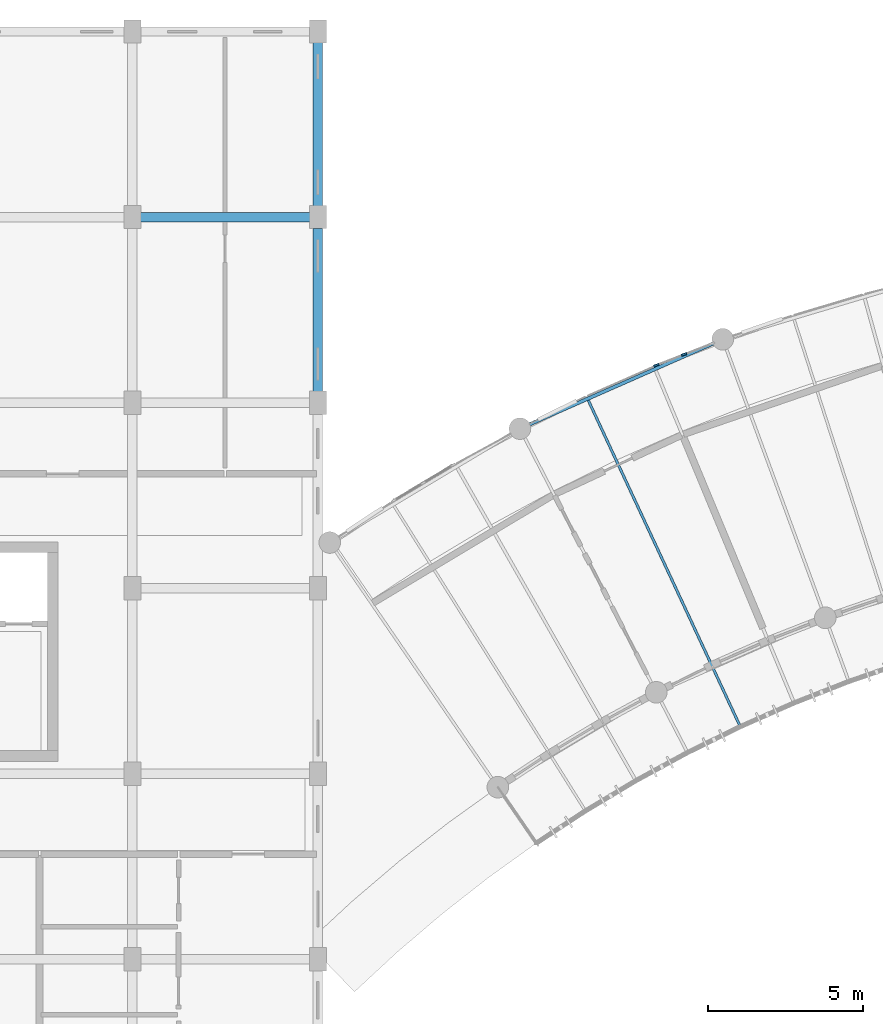
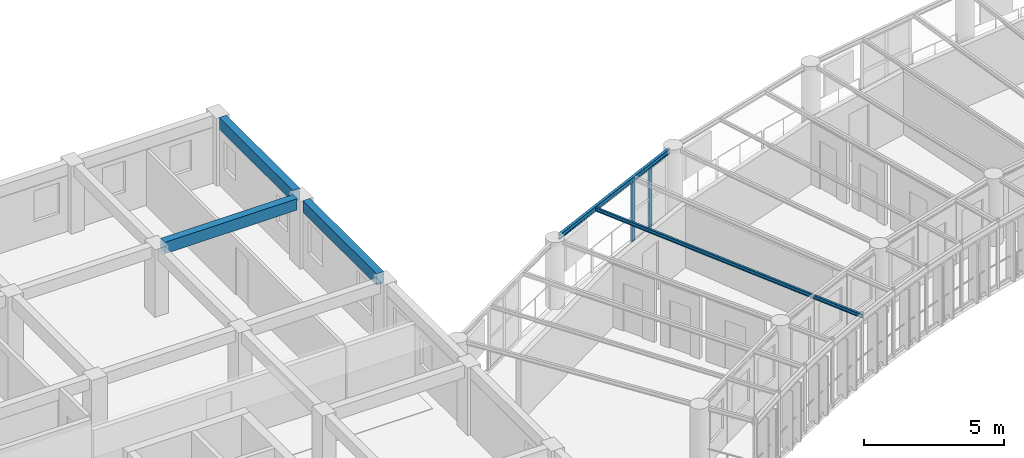
# One storey, part 48 of 123: 5 beams, 2 members, 1 element without a shape of its own.
"""IFC4 building model written with IfcOpenShell, lengths in metres."""

from ifc_helpers import new_model, si_unit, direction, frame, origin, origin_2d, place, context, subcontext, project, spatial, rectangle, i_section, extrude, material, layer, layer_set, material_profile, profile_set, type_object, element, aggregate, save


model = new_model("IFC4")

# Units and contexts
model_context = context("Model", 3, precision=1e-05, world=origin(), true_north=direction((0.0, 1.0)))
body_context = subcontext(model_context, "Body", "Model", "MODEL_VIEW")
ifc_project = project(units=[si_unit("LENGTHUNIT", "METRE"), si_unit("AREAUNIT", "SQUARE_METRE"), si_unit("VOLUMEUNIT", "CUBIC_METRE"), si_unit("PLANEANGLEUNIT", "RADIAN"), si_unit("MASSUNIT", "GRAM", prefix="KILO"), si_unit("POWERUNIT", "WATT"), si_unit("THERMODYNAMICTEMPERATUREUNIT", "KELVIN")], contexts=[model_context])

# Site, building, storey
site_placement = place(None, origin())
site = spatial("IfcSite", under=ifc_project, at=site_placement, CompositionType="ELEMENT")
building_placement = place(site_placement, origin())
building = spatial("IfcBuilding", under=site, at=building_placement, Name="Ruvembo Vaulted Housing Court", CompositionType="ELEMENT")
storey_placement = place(building_placement, frame((0.0, 0.0, 7.699951171875)))
storey = spatial("IfcBuildingStorey", under=building, at=storey_placement, Name="L02", CompositionType="ELEMENT", Elevation=7.699951171875)

# Beams
ifc_material_1 = material(Name="Steel S355J2", Category="steel")
ifc_material_profile_1 = material_profile(ifc_material_1, i_section(OverallWidth=0.08203125, OverallDepth=0.159912109375, WebThickness=0.0048828125, FlangeThickness=0.00732421875, FilletRadius=0.009033203125, at=origin_2d()), Name="IPE 160")
ifc_profile_set_1 = profile_set([ifc_material_profile_1], Name="Steel S355J2")
beam_type_1 = type_object("IfcBeamType", Name="BM-ST-IPE160", PredefinedType="JOIST", material=ifc_profile_set_1)
beam_1_placement = place(storey_placement, frame((92.744873046875, 102.07958984375, 2.860107421875), z_axis=(0.422190259357, -0.906507244816, 0.0), x_axis=(0.906507244816, 0.422190259357, 0.0)))
element("IfcBeam", 1, at=beam_1_placement, inside=storey, type_object=beam_type_1, Name="Scoop SC3 L02 Radial Steel Joist 4", PredefinedType="JOIST", context=body_context, shape_type="SweptSolid", body=[
    extrude(i_section(OverallWidth=0.08203125, OverallDepth=0.159912109375, WebThickness=0.0048828125, FlangeThickness=0.00732421875, FilletRadius=0.009033203125, at=origin_2d()), origin(), (0.0, 0.0, 1.0), 11.69091796875),
])
ifc_material_profile_2 = material_profile(ifc_material_1, i_section(OverallWidth=0.110107421875, OverallDepth=0.219970703125, WebThickness=0.005859375, FlangeThickness=0.00927734375, FilletRadius=0.011962890625, at=origin_2d()), Name="IPE 220")
ifc_profile_set_2 = profile_set([ifc_material_profile_2], Name="Steel S355J2")
beam_type_2 = type_object("IfcBeamType", Name="BM-ST-IPE220", PredefinedType="SPANDREL", material=ifc_profile_set_2)
beam_2_placement = place(storey_placement, frame((90.746337890625, 101.25341796875, 2.83203125), z_axis=(0.915078219063, 0.403276397767, 0.0), x_axis=(-0.403276397767, 0.915078219063, 0.0)))
element("IfcBeam", 2, at=beam_2_placement, inside=storey, type_object=beam_type_2, Name="Scoop SC3 L02 Chord Girder B3", PredefinedType="SPANDREL", context=body_context, shape_type="SweptSolid", body=[
    extrude(i_section(OverallWidth=0.110107421875, OverallDepth=0.219970703125, WebThickness=0.005859375, FlangeThickness=0.00927734375, FilletRadius=0.011962890625, at=origin_2d()), origin(), (0.0, 0.0, 1.0), 6.708251953125),
])

# Curtain wall, members
ifc_material_2 = material(Name="Anodised Aluminium and Solar-Control Glass", Category="aluminium")
ifc_layer = layer(ifc_material_2, 0.1201171875, Name="Anodised Aluminium and Solar-Control Glass")
ifc_layer_set = layer_set([ifc_layer], Name="Anodised Aluminium and Solar-Control Glass")
curtain_wall_type = type_object("IfcCurtainWallType", Name="CW-SCOOP-GAL", PredefinedType="NOTDEFINED", material=ifc_layer_set)
curtain_wall_placement = place(storey_placement, origin())
curtain_wall = element("IfcCurtainWall", 3, at=curtain_wall_placement, inside=storey, type_object=curtain_wall_type, Name="L02 Curtain Wall CW-L02-0066", PredefinedType="NOTDEFINED")
ifc_material_3 = material(Name="Anodised Aluminium 6063-T6", Category="aluminium")
ifc_material_profile_3 = material_profile(ifc_material_3, rectangle(XDim=0.06494140625, YDim=0.179931640625, at=origin_2d()), Name="ALU 65x180")
ifc_profile_set_3 = profile_set([ifc_material_profile_3], Name="Anodised Aluminium 6063-T6")
member_type = type_object("IfcMemberType", Name="CW-MUL-65x180", PredefinedType="MULLION", material=ifc_profile_set_3)
member_1_placement = place(storey_placement, frame((94.946533203125, 103.208984375, 0.0), z_axis=(0.0, 0.0, 1.0), x_axis=(-0.365033747989, 0.930994287216, 0.0)))
member_1 = element("IfcMember", 4, at=member_1_placement, type_object=member_type, Name="CW6 mullion 1", PredefinedType="MULLION", context=body_context, shape_type="SweptSolid", body=[
    extrude(rectangle(XDim=0.06494140625, YDim=0.179931640625, at=origin_2d()), origin(), (0.0, 0.0, 1.0), 2.697998046875),
])
member_2_placement = place(storey_placement, frame((95.843017578125, 103.560546875, 0.0), z_axis=(0.0, 0.0, 1.0), x_axis=(-0.365033747989, 0.930994287216, 0.0)))
member_2 = element("IfcMember", 5, at=member_2_placement, type_object=member_type, Name="CW6 mullion 2", PredefinedType="MULLION", context=body_context, shape_type="SweptSolid", body=[
    extrude(rectangle(XDim=0.06494140625, YDim=0.179931640625, at=origin_2d()), origin(), (0.0, 0.0, 1.0), 2.697998046875),
])
aggregate(curtain_wall, [member_1, member_2])

# Beams
ifc_material_4 = material(Name="Concrete C35/45", Category="concrete")
ifc_material_profile_4 = material_profile(ifc_material_4, rectangle(XDim=0.300048828125, YDim=0.5, at=origin_2d()), Name="RC 300x500")
ifc_profile_set_4 = profile_set([ifc_material_profile_4], Name="Concrete C35/45")
beam_type_3 = type_object("IfcBeamType", Name="SP-RC-300x500", PredefinedType="SPANDREL", material=ifc_profile_set_4)
beam_3_placement = place(storey_placement, frame((78.260009765625, 108.0, 2.705078125), z_axis=(1.0, 0.0, 0.0), x_axis=(0.0, 1.0, 0.0)))
element("IfcBeam", 6, at=beam_3_placement, inside=storey, type_object=beam_type_3, Name="L02 Grid Beam X #1556", PredefinedType="SPANDREL", context=body_context, shape_type="SweptSolid", body=[
    extrude(rectangle(XDim=0.300048828125, YDim=0.5, at=origin_2d()), origin(), (0.0, 0.0, 1.0), 5.47998046875),
])
for number, where, z_axis, x_axis, name in (
    (7, (84.0, 102.360107421875, 2.705078125), (0.0, 1.0, 0.0), (-1.0, 0.0, 0.0), "L02 Grid Beam Y #1637"),
    (8, (84.0, 108.360107421875, 2.705078125), (0.0, 1.0, 0.0), (-1.0, 0.0, 0.0), "L02 Grid Beam Y #1638"),
):
    element("IfcBeam", number, at=place(storey_placement, frame(where, z_axis=z_axis, x_axis=x_axis)), inside=storey, type_object=beam_type_3, Name=name, PredefinedType="SPANDREL", context=body_context, shape_type="SweptSolid", body=[
        extrude(rectangle(XDim=0.300048828125, YDim=0.5, at=origin_2d()), origin(), (0.0, 0.0, 1.0), 5.27978515625),
    ])

save(model, "model.ifc")
